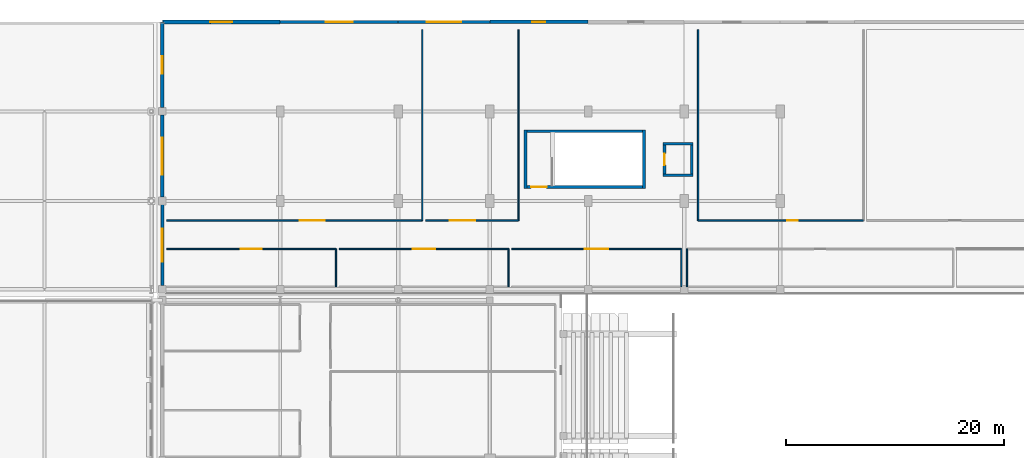
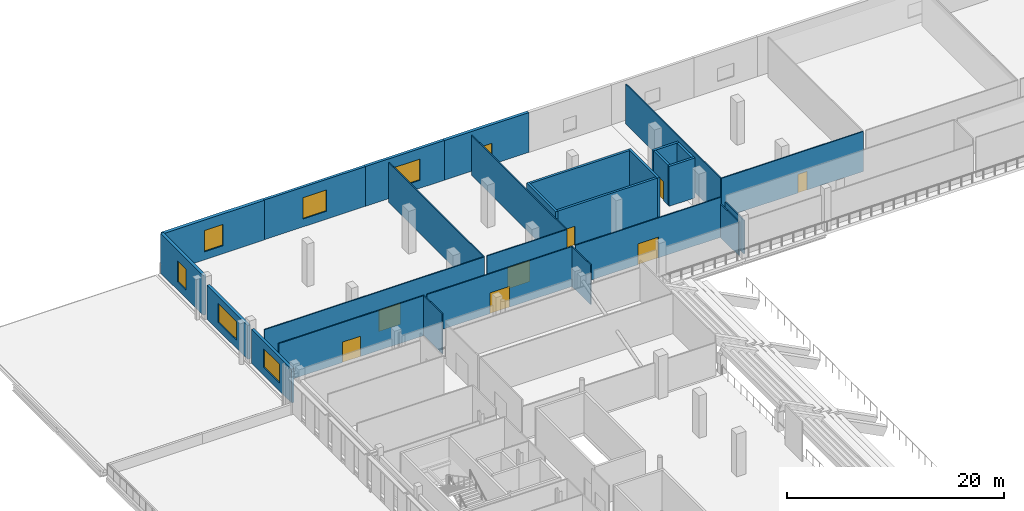
# One storey, part 41 of 74: 28 walls, 8 doors, 7 windows, 15 openings.
"""IFC4 building model written with IfcOpenShell, lengths in metres."""

from ifc_helpers import new_model, si_unit, direction, frame, frame_2d, origin, place, context, subcontext, project, spatial, rectangle, extrude, material, layer, layer_set, type_object, element, fill, save


model = new_model("IFC4")

# Units and contexts
model_context = context("Model", 3, precision=1e-05, world=origin(), true_north=direction((0.0, 1.0)))
body_context = subcontext(model_context, "Body", "Model", "MODEL_VIEW")
ifc_project = project(units=[si_unit("LENGTHUNIT", "METRE"), si_unit("AREAUNIT", "SQUARE_METRE"), si_unit("VOLUMEUNIT", "CUBIC_METRE"), si_unit("PLANEANGLEUNIT", "RADIAN"), si_unit("MASSUNIT", "GRAM", prefix="KILO")], contexts=[model_context])

# Site, building, storey
site_placement = place(None, origin())
site = spatial("IfcSite", under=ifc_project, at=site_placement, CompositionType="ELEMENT")
building_placement = place(site_placement, origin())
building = spatial("IfcBuilding", under=site, at=building_placement, Name="Koshinbarg Plaza Stadium", CompositionType="ELEMENT")
storey_placement = place(building_placement, frame((0.0, 0.0, 15.0)))
storey = spatial("IfcBuildingStorey", under=building, at=storey_placement, Name="L03", CompositionType="ELEMENT", Elevation=15.0)

# Walls
ifc_material_1 = material(Name="Concrete C40/50", Category="concrete")
ifc_layer_1 = layer(ifc_material_1, 0.25)
ifc_layer_set_1 = layer_set([ifc_layer_1], Name="Concrete C40/50")
wall_type_1 = type_object("IfcWallType", Name="WL-CORE-250", PredefinedType="SHEAR", material=ifc_layer_set_1)
for number, where, z_axis, x_axis, name in (
    (1, (57.875, 142.1201171875, 0.0), (0.0, 0.0, 1.0), (0.0, -1.0, 0.0), "L03 core stair shear wall C11-near IWL-L03-0270"),
    (2, (68.72509765625, 136.75, 0.0), (0.0, 0.0, 1.0), (0.0, 1.0, 0.0), "L03 core stair shear wall C11-far IWL-L03-0271"),
):
    element("IfcWall", number, at=place(storey_placement, frame(where, z_axis=z_axis, x_axis=x_axis)), inside=storey, type_object=wall_type_1, Name=name, PredefinedType="SHEAR", context=body_context, shape_type="SweptSolid", body=[
        extrude(rectangle(XDim=5.3701171875, YDim=0.25, at=frame_2d((2.68505859375, 0.0))), origin(), (0.0, 0.0, 1.0), 4.5),
    ])
wall_1_placement = place(storey_placement, frame((57.875, 141.9951171875, 0.0), z_axis=(0.0, 0.0, 1.0), x_axis=(1.0, 0.0, 0.0)))
element("IfcWall", 3, at=wall_1_placement, inside=storey, type_object=wall_type_1, Name="L03 core stair shear wall C11-left IWL-L03-0272", PredefinedType="SHEAR", context=body_context, shape_type="SweptSolid", body=[
    extrude(rectangle(XDim=10.85009765625, YDim=0.25, at=frame_2d((5.425048828125, 0.0))), origin(), (0.0, 0.0, 1.0), 4.5),
])

# Wall, opening, door
wall_2_placement = place(storey_placement, frame((57.875, 136.875, 0.0), z_axis=(0.0, 0.0, 1.0), x_axis=(1.0, 0.0, 0.0)))
wall_2 = element("IfcWall", 4, at=wall_2_placement, inside=storey, type_object=wall_type_1, Name="L03 core stair shear wall C11-right IWL-L03-0273", PredefinedType="SHEAR", context=body_context, shape_type="SweptSolid", body=[
    extrude(rectangle(XDim=10.85009765625, YDim=0.25, at=frame_2d((5.425048828125, 0.0))), origin(), (0.0, 0.0, 1.0), 4.5),
])
opening_1_placement = place(wall_2_placement, frame((0.52001953125, 0.0, 0.0)))
opening_1 = element("IfcOpeningElement", 5, at=opening_1_placement, cuts=wall_2, Name="Opening D-0130", PredefinedType="OPENING", context=body_context, shape_type="SweptSolid", body=[
    extrude(rectangle(XDim=1.39990234375, YDim=2.14990234375, at=frame_2d((0.699951171875, 1.074951171875))), frame((0.0, 0.135009765625, 0.0), z_axis=(0.0, -1.0, 0.0), x_axis=(1.0, 0.0, 0.0)), (0.0, 0.0, 1.0), 0.27001953125),
])
ifc_material_2 = material(Name="Painted galvanized steel fire door", Category="steel")
door_type_1 = type_object("IfcDoorType", Name="DR-STAIR-1400", OperationType="NOTDEFINED", PredefinedType="DOOR", material=ifc_material_2)
door_1_placement = place(opening_1_placement, origin())
door_1 = element("IfcDoor", 6, at=door_1_placement, inside=storey, type_object=door_type_1, Name="L03 exit stair door C11", OperationType="SINGLE_SWING_LEFT", OverallHeight=2.14990234375, OverallWidth=1.39990234375, PredefinedType="DOOR", context=body_context, shape_type="SweptSolid", body=[
    extrude(rectangle(XDim=1.39990234375, YDim=2.14990234375, at=frame_2d((0.699951171875, 1.074951171875))), frame((0.0, 0.02490234375, 0.0), z_axis=(0.0, -1.0, 0.0), x_axis=(1.0, 0.0, 0.0)), (0.0, 0.0, 1.0), 0.050048828125),
])
fill(opening_1, door_1)

# Walls
for number, where, z_axis, x_axis, name in (
    (7, (70.47509765625, 137.949951171875, 0.0), (0.0, 0.0, 1.0), (1.0, 0.0, 0.0), "L03 lift shaft shear wall LP07-S IWL-L03-0970"),
    (8, (73.22509765625, 140.85009765625, 0.0), (0.0, 0.0, 1.0), (-1.0, 0.0, 0.0), "L03 lift shaft shear wall LP07-N IWL-L03-0971"),
):
    element("IfcWall", number, at=place(storey_placement, frame(where, z_axis=z_axis, x_axis=x_axis)), inside=storey, type_object=wall_type_1, Name=name, PredefinedType="SHEAR", context=body_context, shape_type="SweptSolid", body=[
        extrude(rectangle(XDim=2.75, YDim=0.25, at=frame_2d((1.375, 0.0))), origin(), (0.0, 0.0, 1.0), 4.5),
    ])

# Wall, opening, door
wall_3_placement = place(storey_placement, frame((70.60009765625, 140.85009765625, 0.0), z_axis=(0.0, 0.0, 1.0), x_axis=(0.0, -1.0, 0.0)))
wall_3 = element("IfcWall", 9, at=wall_3_placement, inside=storey, type_object=wall_type_1, Name="L03 lift shaft shear wall LP07-W IWL-L03-0972", PredefinedType="SHEAR", context=body_context, shape_type="SweptSolid", body=[
    extrude(rectangle(XDim=2.900146484375, YDim=0.25, at=frame_2d((1.4501953125, 0.0))), origin(), (0.0, 0.0, 1.0), 4.5),
])
opening_2_placement = place(wall_3_placement, frame((0.925048828125, 0.0, 0.0)))
opening_2 = element("IfcOpeningElement", 10, at=opening_2_placement, cuts=wall_3, Name="Opening D-0312", PredefinedType="OPENING", context=body_context, shape_type="SweptSolid", body=[
    extrude(rectangle(XDim=1.050048828125, YDim=2.14990234375, at=frame_2d((0.52490234375, 1.074951171875))), frame((0.0, 0.135009765625, 0.0), z_axis=(0.0, -1.0, 0.0), x_axis=(1.0, 0.0, 0.0)), (0.0, 0.0, 1.0), 0.27001953125),
])
ifc_material_3 = material(Name="Brushed stainless steel sliding lift landing door", Category="steel")
door_type_2 = type_object("IfcDoorType", Name="DR-LIFT-1050", OperationType="NOTDEFINED", PredefinedType="DOOR", material=ifc_material_3)
door_2_placement = place(opening_2_placement, origin())
door_2 = element("IfcDoor", 11, at=door_2_placement, inside=storey, type_object=door_type_2, Name="L03 lift landing door LP07", OperationType="SLIDING_TO_RIGHT", OverallHeight=2.14990234375, OverallWidth=1.050048828125, PredefinedType="DOOR", context=body_context, shape_type="SweptSolid", body=[
    extrude(rectangle(XDim=1.050048828125, YDim=2.14990234375, at=frame_2d((0.52490234375, 1.074951171875))), frame((0.0, 0.02490234375, 0.0), z_axis=(0.0, -1.0, 0.0), x_axis=(1.0, 0.0, 0.0)), (0.0, 0.0, 1.0), 0.050048828125),
])
fill(opening_2, door_2)

# Wall
wall_4_placement = place(storey_placement, frame((73.10009765625, 137.949951171875, 0.0), z_axis=(0.0, 0.0, 1.0), x_axis=(0.0, 1.0, 0.0)))
element("IfcWall", 12, at=wall_4_placement, inside=storey, type_object=wall_type_1, Name="L03 lift shaft shear wall LP07-E IWL-L03-0973", PredefinedType="SHEAR", context=body_context, shape_type="SweptSolid", body=[
    extrude(rectangle(XDim=2.900146484375, YDim=0.25, at=frame_2d((1.4501953125, 0.0))), origin(), (0.0, 0.0, 1.0), 4.5),
])

# Wall, opening, window
ifc_material_4 = material(Name="Terracotta-ochre mineral plaster insulated wall", Category="masonry")
ifc_layer_2 = layer(ifc_material_4, 0.280029296875)
ifc_layer_set_2 = layer_set([ifc_layer_2], Name="Terracotta-ochre mineral plaster insulated wall")
wall_type_2 = type_object("IfcWallType", Name="WL-EXT-280", PredefinedType="SOLIDWALL", material=ifc_layer_set_2)
wall_5_placement = place(storey_placement, frame((24.60009765625, 127.844970703125, 0.0), z_axis=(0.0, 0.0, 1.0), x_axis=(0.0, 1.0, 0.0)))
wall_5 = element("IfcWall", 13, at=wall_5_placement, inside=storey, type_object=wall_type_2, Name="L03 exterior envelope wall EWL-L03-0156", PredefinedType="SOLIDWALL", context=body_context, shape_type="SweptSolid", body=[
    extrude(rectangle(XDim=7.409912109375, YDim=0.280029296875, at=frame_2d((3.705078125, 0.0))), origin(), (0.0, 0.0, 1.0), 3.820068359375),
])
opening_3_placement = place(wall_5_placement, frame((2.205078125, 0.0, 0.89990234375)))
opening_3 = element("IfcOpeningElement", 14, at=opening_3_placement, cuts=wall_5, Name="Opening WN17", PredefinedType="OPENING", context=body_context, shape_type="SweptSolid", body=[
    extrude(rectangle(XDim=3.0, YDim=2.10009765625, at=frame_2d((1.5, 1.050048828125))), frame((0.0, 0.14990234375, 0.0), z_axis=(0.0, -1.0, 0.0), x_axis=(1.0, 0.0, 0.0)), (0.0, 0.0, 1.0), 0.300048828125),
])
ifc_material_5 = material(Name="Solar-control double glazing in thermally broken aluminium frame", Category="aluminium")
window_type_1 = type_object("IfcWindowType", Name="WN-FAC-17", PartitioningType="DOUBLE_PANEL_VERTICAL", PredefinedType="WINDOW", material=ifc_material_5)
window_1_placement = place(opening_3_placement, origin())
window_1 = element("IfcWindow", 15, at=window_1_placement, inside=storey, type_object=window_type_1, Name="L03 facade window 0089", OverallHeight=2.10009765625, OverallWidth=3.0, PartitioningType="SINGLE_PANEL", PredefinedType="WINDOW", context=body_context, shape_type="SweptSolid", body=[
    extrude(rectangle(XDim=3.0, YDim=2.10009765625, at=frame_2d((1.5, 1.050048828125))), frame((0.0, 0.030029296875, 0.0), z_axis=(0.0, -1.0, 0.0), x_axis=(1.0, 0.0, 0.0)), (0.0, 0.0, 1.0), 0.06005859375),
])
fill(opening_3, window_1)

wall_6_placement = place(storey_placement, frame((35.39990234375, 152.0, 0.0), z_axis=(0.0, 0.0, 1.0), x_axis=(1.0, 0.0, 0.0)))
wall_6 = element("IfcWall", 16, at=wall_6_placement, inside=storey, type_object=wall_type_2, Name="L03 exterior envelope wall EWL-L03-0160", PredefinedType="SOLIDWALL", context=body_context, shape_type="SweptSolid", body=[
    extrude(rectangle(XDim=10.800048828125, YDim=0.280029296875, at=frame_2d((5.39990234375, 0.0))), origin(), (0.0, 0.0, 1.0), 4.47998046875),
])
opening_4_placement = place(wall_6_placement, frame((4.14990234375, 0.0, 0.89990234375)))
opening_4 = element("IfcOpeningElement", 17, at=opening_4_placement, cuts=wall_6, Name="Opening WN21", PredefinedType="OPENING", context=body_context, shape_type="SweptSolid", body=[
    extrude(rectangle(XDim=2.5, YDim=2.39990234375, at=frame_2d((1.25, 1.199951171875))), frame((0.0, 0.14990234375, 0.0), z_axis=(0.0, -1.0, 0.0), x_axis=(1.0, 0.0, 0.0)), (0.0, 0.0, 1.0), 0.300048828125),
])
window_type_2 = type_object("IfcWindowType", Name="WN-FAC-21", PartitioningType="DOUBLE_PANEL_VERTICAL", PredefinedType="WINDOW", material=ifc_material_5)
window_2_placement = place(opening_4_placement, origin())
window_2 = element("IfcWindow", 18, at=window_2_placement, inside=storey, type_object=window_type_2, Name="L03 facade window 0093", OverallHeight=2.39990234375, OverallWidth=2.5, PartitioningType="SINGLE_PANEL", PredefinedType="WINDOW", context=body_context, shape_type="SweptSolid", body=[
    extrude(rectangle(XDim=2.5, YDim=2.39990234375, at=frame_2d((1.25, 1.199951171875))), frame((0.0, 0.030029296875, 0.0), z_axis=(0.0, -1.0, 0.0), x_axis=(1.0, 0.0, 0.0)), (0.0, 0.0, 1.0), 0.06005859375),
])
fill(opening_4, window_2)

ifc_material_6 = material(Name="Off-white mineral plaster insulated wall", Category="masonry")
ifc_layer_3 = layer(ifc_material_6, 0.300048828125)
ifc_layer_set_3 = layer_set([ifc_layer_3], Name="Off-white mineral plaster insulated wall")
wall_type_3 = type_object("IfcWallType", Name="WL-EXT-300", PredefinedType="SOLIDWALL", material=ifc_layer_set_3)
wall_7_placement = place(storey_placement, frame((24.60009765625, 135.945068359375, 0.0), z_axis=(0.0, 0.0, 1.0), x_axis=(0.0, 1.0, 0.0)))
wall_7 = element("IfcWall", 19, at=wall_7_placement, inside=storey, type_object=wall_type_3, Name="L03 exterior envelope wall EWL-L03-0157", PredefinedType="SOLIDWALL", context=body_context, shape_type="SweptSolid", body=[
    extrude(rectangle(XDim=7.510009765625, YDim=0.300048828125, at=frame_2d((3.7548828125, 0.0))), origin(), (0.0, 0.0, 1.0), 3.820068359375),
])
opening_5_placement = place(wall_7_placement, frame((2.054931640625, 0.0, 0.89990234375)))
opening_5 = element("IfcOpeningElement", 20, at=opening_5_placement, cuts=wall_7, Name="Opening WN18", PredefinedType="OPENING", context=body_context, shape_type="SweptSolid", body=[
    extrude(rectangle(XDim=3.39990234375, YDim=2.10009765625, at=frame_2d((1.699951171875, 1.050048828125))), frame((0.0, 0.159912109375, 0.0), z_axis=(0.0, -1.0, 0.0), x_axis=(1.0, 0.0, 0.0)), (0.0, 0.0, 1.0), 0.320068359375),
])
window_type_3 = type_object("IfcWindowType", Name="WN-FAC-18", PartitioningType="DOUBLE_PANEL_VERTICAL", PredefinedType="WINDOW", material=ifc_material_5)
window_3_placement = place(opening_5_placement, origin())
window_3 = element("IfcWindow", 21, at=window_3_placement, inside=storey, type_object=window_type_3, Name="L03 facade window 0090", OverallHeight=2.10009765625, OverallWidth=3.39990234375, PartitioningType="SINGLE_PANEL", PredefinedType="WINDOW", context=body_context, shape_type="SweptSolid", body=[
    extrude(rectangle(XDim=3.39990234375, YDim=2.10009765625, at=frame_2d((1.699951171875, 1.050048828125))), frame((0.0, 0.030029296875, 0.0), z_axis=(0.0, -1.0, 0.0), x_axis=(1.0, 0.0, 0.0)), (0.0, 0.0, 1.0), 0.06005859375),
])
fill(opening_5, window_3)

wall_8_placement = place(storey_placement, frame((46.199951171875, 152.0, 0.0), z_axis=(0.0, 0.0, 1.0), x_axis=(1.0, 0.0, 0.0)))
wall_8 = element("IfcWall", 22, at=wall_8_placement, inside=storey, type_object=wall_type_3, Name="L03 exterior envelope wall EWL-L03-0161", PredefinedType="SOLIDWALL", context=body_context, shape_type="SweptSolid", body=[
    extrude(rectangle(XDim=8.400146484375, YDim=0.300048828125, at=frame_2d((4.2001953125, 0.0))), origin(), (0.0, 0.0, 1.0), 4.47998046875),
])
opening_6_placement = place(wall_8_placement, frame((2.60009765625, 0.0, 0.89990234375)))
opening_6 = element("IfcOpeningElement", 23, at=opening_6_placement, cuts=wall_8, Name="Opening WN22", PredefinedType="OPENING", context=body_context, shape_type="SweptSolid", body=[
    extrude(rectangle(XDim=3.199951171875, YDim=2.39990234375, at=frame_2d((1.60009765625, 1.199951171875))), frame((0.0, 0.159912109375, 0.0), z_axis=(0.0, -1.0, 0.0), x_axis=(1.0, 0.0, 0.0)), (0.0, 0.0, 1.0), 0.320068359375),
])
window_type_4 = type_object("IfcWindowType", Name="WN-FAC-22", PartitioningType="DOUBLE_PANEL_VERTICAL", PredefinedType="WINDOW", material=ifc_material_5)
window_4_placement = place(opening_6_placement, origin())
window_4 = element("IfcWindow", 24, at=window_4_placement, inside=storey, type_object=window_type_4, Name="L03 facade window 0094", OverallHeight=2.39990234375, OverallWidth=3.199951171875, PartitioningType="SINGLE_PANEL", PredefinedType="WINDOW", context=body_context, shape_type="SweptSolid", body=[
    extrude(rectangle(XDim=3.199951171875, YDim=2.39990234375, at=frame_2d((1.60009765625, 1.199951171875))), frame((0.0, 0.030029296875, 0.0), z_axis=(0.0, -1.0, 0.0), x_axis=(1.0, 0.0, 0.0)), (0.0, 0.0, 1.0), 0.06005859375),
])
fill(opening_6, window_4)

ifc_material_7 = material(Name="Ultramarine-blue pigmented mineral plaster facade wall", Category="masonry")
ifc_layer_4 = layer(ifc_material_7, 0.320068359375)
ifc_layer_set_4 = layer_set([ifc_layer_4], Name="Ultramarine-blue pigmented mineral plaster facade wall")
wall_type_4 = type_object("IfcWallType", Name="WL-EXT-320", PredefinedType="SOLIDWALL", material=ifc_layer_set_4)
wall_9_placement = place(storey_placement, frame((24.60009765625, 144.14501953125, 0.0), z_axis=(0.0, 0.0, 1.0), x_axis=(0.0, 1.0, 0.0)))
wall_9 = element("IfcWall", 25, at=wall_9_placement, inside=storey, type_object=wall_type_4, Name="L03 exterior envelope wall EWL-L03-0158", PredefinedType="SOLIDWALL", context=body_context, shape_type="SweptSolid", body=[
    extrude(rectangle(XDim=7.85498046875, YDim=0.320068359375, at=frame_2d((3.927490234375, 0.0))), origin(), (0.0, 0.0, 1.0), 4.47998046875),
])
opening_7_placement = place(wall_9_placement, frame((3.12744140625, 0.0, 0.89990234375)))
opening_7 = element("IfcOpeningElement", 26, at=opening_7_placement, cuts=wall_9, Name="Opening WN19", PredefinedType="OPENING", context=body_context, shape_type="SweptSolid", body=[
    extrude(rectangle(XDim=1.60009765625, YDim=2.39990234375, at=frame_2d((0.800048828125, 1.199951171875))), frame((0.0, 0.169921875, 0.0), z_axis=(0.0, -1.0, 0.0), x_axis=(1.0, 0.0, 0.0)), (0.0, 0.0, 1.0), 0.340087890625),
])
window_type_5 = type_object("IfcWindowType", Name="WN-FAC-19", PartitioningType="DOUBLE_PANEL_VERTICAL", PredefinedType="WINDOW", material=ifc_material_5)
window_5_placement = place(opening_7_placement, origin())
window_5 = element("IfcWindow", 27, at=window_5_placement, inside=storey, type_object=window_type_5, Name="L03 facade window 0091", OverallHeight=2.39990234375, OverallWidth=1.60009765625, PartitioningType="SINGLE_PANEL", PredefinedType="WINDOW", context=body_context, shape_type="SweptSolid", body=[
    extrude(rectangle(XDim=1.60009765625, YDim=2.39990234375, at=frame_2d((0.800048828125, 1.199951171875))), frame((0.0, 0.030029296875, 0.0), z_axis=(0.0, -1.0, 0.0), x_axis=(1.0, 0.0, 0.0)), (0.0, 0.0, 1.0), 0.06005859375),
])
fill(opening_7, window_5)

wall_10_placement = place(storey_placement, frame((54.60009765625, 152.0, 0.0), z_axis=(0.0, 0.0, 1.0), x_axis=(1.0, 0.0, 0.0)))
wall_10 = element("IfcWall", 28, at=wall_10_placement, inside=storey, type_object=wall_type_4, Name="L03 exterior envelope wall EWL-L03-0162", PredefinedType="SOLIDWALL", context=body_context, shape_type="SweptSolid", body=[
    extrude(rectangle(XDim=9.0, YDim=0.320068359375, at=frame_2d((4.5, 0.0))), origin(), (0.0, 0.0, 1.0), 4.47998046875),
])
opening_8_placement = place(wall_10_placement, frame((3.89990234375, 0.0, 0.89990234375)))
opening_8 = element("IfcOpeningElement", 29, at=opening_8_placement, cuts=wall_10, Name="Opening WN01", PredefinedType="OPENING", context=body_context, shape_type="SweptSolid", body=[
    extrude(rectangle(XDim=1.199951171875, YDim=1.5, at=frame_2d((0.60009765625, 0.75))), frame((0.0, 0.169921875, 0.0), z_axis=(0.0, -1.0, 0.0), x_axis=(1.0, 0.0, 0.0)), (0.0, 0.0, 1.0), 0.340087890625),
])
window_type_6 = type_object("IfcWindowType", Name="WN-FAC-01", PartitioningType="DOUBLE_PANEL_VERTICAL", PredefinedType="WINDOW", material=ifc_material_5)
window_6_placement = place(opening_8_placement, origin())
window_6 = element("IfcWindow", 30, at=window_6_placement, inside=storey, type_object=window_type_6, Name="L03 facade window 0095", OverallHeight=1.5, OverallWidth=1.199951171875, PartitioningType="SINGLE_PANEL", PredefinedType="WINDOW", context=body_context, shape_type="SweptSolid", body=[
    extrude(rectangle(XDim=1.199951171875, YDim=1.5, at=frame_2d((0.60009765625, 0.75))), frame((0.0, 0.030029296875, 0.0), z_axis=(0.0, -1.0, 0.0), x_axis=(1.0, 0.0, 0.0)), (0.0, 0.0, 1.0), 0.06005859375),
])
fill(opening_8, window_6)

ifc_material_8 = material(Name="Acoustic insulated masonry stadium wall", Category="masonry")
ifc_layer_5 = layer(ifc_material_8, 0.35009765625)
ifc_layer_set_5 = layer_set([ifc_layer_5], Name="Acoustic insulated masonry stadium wall")
wall_type_5 = type_object("IfcWallType", Name="WL-EXT-350", PredefinedType="SOLIDWALL", material=ifc_layer_set_5)
wall_11_placement = place(storey_placement, frame((24.60009765625, 152.0, 0.0), z_axis=(0.0, 0.0, 1.0), x_axis=(1.0, 0.0, 0.0)))
wall_11 = element("IfcWall", 31, at=wall_11_placement, inside=storey, type_object=wall_type_5, Name="L03 exterior envelope wall EWL-L03-0159", PredefinedType="SOLIDWALL", context=body_context, shape_type="SweptSolid", body=[
    extrude(rectangle(XDim=10.7998046875, YDim=0.35009765625, at=frame_2d((5.39990234375, 0.0))), origin(), (0.0, 0.0, 1.0), 4.47998046875),
])
opening_9_placement = place(wall_11_placement, frame((4.39990234375, 0.0, 0.89990234375)))
opening_9 = element("IfcOpeningElement", 32, at=opening_9_placement, cuts=wall_11, Name="Opening WN20", PredefinedType="OPENING", context=body_context, shape_type="SweptSolid", body=[
    extrude(rectangle(XDim=2.0, YDim=2.39990234375, at=frame_2d((1.0, 1.199951171875))), frame((0.0, 0.18505859375, 0.0), z_axis=(0.0, -1.0, 0.0), x_axis=(1.0, 0.0, 0.0)), (0.0, 0.0, 1.0), 0.3701171875),
])
window_type_7 = type_object("IfcWindowType", Name="WN-FAC-20", PartitioningType="DOUBLE_PANEL_VERTICAL", PredefinedType="WINDOW", material=ifc_material_5)
window_7_placement = place(opening_9_placement, origin())
window_7 = element("IfcWindow", 33, at=window_7_placement, inside=storey, type_object=window_type_7, Name="L03 facade window 0092", OverallHeight=2.39990234375, OverallWidth=2.0, PartitioningType="SINGLE_PANEL", PredefinedType="WINDOW", context=body_context, shape_type="SweptSolid", body=[
    extrude(rectangle(XDim=2.0, YDim=2.39990234375, at=frame_2d((1.0, 1.199951171875))), frame((0.0, 0.030029296875, 0.0), z_axis=(0.0, -1.0, 0.0), x_axis=(1.0, 0.0, 0.0)), (0.0, 0.0, 1.0), 0.06005859375),
])
fill(opening_9, window_7)

# Wall
ifc_material_9 = material(Name="Gypsum board metal-stud acoustic partition")
ifc_layer_6 = layer(ifc_material_9, 0.1201171875)
ifc_layer_set_6 = layer_set([ifc_layer_6], Name="Gypsum board metal-stud acoustic partition")
wall_type_6 = type_object("IfcWallType", Name="WL-PART-120", PredefinedType="PARTITIONING", material=ifc_layer_set_6)
wall_12_placement = place(storey_placement, frame((40.506591796875, 127.7451171875, 0.0), z_axis=(0.0, 0.0, 1.0), x_axis=(0.0, 1.0, 0.0)))
element("IfcWall", 34, at=wall_12_placement, inside=storey, type_object=wall_type_6, Name="L03 interior partition L03-96-east IWL-L03-2001", PredefinedType="PARTITIONING", context=body_context, shape_type="SweptSolid", body=[
    extrude(rectangle(XDim=3.454833984375, YDim=0.1201171875, at=frame_2d((1.7275390625, 0.0))), origin(), (0.0, 0.0, 1.0), 4.5),
])

# Wall, opening, door
wall_13_placement = place(storey_placement, frame((40.506591796875, 131.199951171875, 0.0), z_axis=(0.0, 0.0, 1.0), x_axis=(-1.0, 0.0, 0.0)))
wall_13 = element("IfcWall", 35, at=wall_13_placement, inside=storey, type_object=wall_type_6, Name="L03 interior partition L03-96-north IWL-L03-2002", PredefinedType="PARTITIONING", context=body_context, shape_type="SweptSolid", body=[
    extrude(rectangle(XDim=15.511474609375, YDim=0.1201171875, at=frame_2d((7.755859375, 0.0))), origin(), (0.0, 0.0, 1.0), 4.5),
])
opening_10_placement = place(wall_13_placement, frame((6.77587890625, 0.0, 0.0)))
opening_10 = element("IfcOpeningElement", 36, at=opening_10_placement, cuts=wall_13, Name="Opening D-0686", PredefinedType="OPENING", context=body_context, shape_type="SweptSolid", body=[
    extrude(rectangle(XDim=1.9599609375, YDim=2.300048828125, at=frame_2d((0.97998046875, 1.14990234375))), frame((0.0, 0.070068359375, 0.0), z_axis=(0.0, -1.0, 0.0), x_axis=(1.0, 0.0, 0.0)), (0.0, 0.0, 1.0), 0.14013671875),
])
ifc_material_10 = material(Name="Bronze-anodised aluminium glazed double door", Category="aluminium")
door_type_3 = type_object("IfcDoorType", Name="DR-INT-1960x2300", OperationType="NOTDEFINED", PredefinedType="DOOR", material=ifc_material_10)
door_3_placement = place(opening_10_placement, origin())
door_3 = element("IfcDoor", 37, at=door_3_placement, inside=storey, type_object=door_type_3, Name="L03 North Garden Pavilion Salon door D-0686", OperationType="DOUBLE_DOOR_SINGLE_SWING", OverallHeight=2.300048828125, OverallWidth=1.9599609375, PredefinedType="DOOR", context=body_context, shape_type="SweptSolid", body=[
    extrude(rectangle(XDim=1.9599609375, YDim=2.300048828125, at=frame_2d((0.97998046875, 1.14990234375))), frame((0.0, 0.02490234375, 0.0), z_axis=(0.0, -1.0, 0.0), x_axis=(1.0, 0.0, 0.0)), (0.0, 0.0, 1.0), 0.050048828125),
])
fill(opening_10, door_3)

# Wall
wall_14_placement = place(storey_placement, frame((56.318359375, 127.7451171875, 0.0), z_axis=(0.0, 0.0, 1.0), x_axis=(0.0, 1.0, 0.0)))
element("IfcWall", 38, at=wall_14_placement, inside=storey, type_object=wall_type_6, Name="L03 interior partition L03-97-east IWL-L03-2004", PredefinedType="PARTITIONING", context=body_context, shape_type="SweptSolid", body=[
    extrude(rectangle(XDim=3.454833984375, YDim=0.1201171875, at=frame_2d((1.7275390625, 0.0))), origin(), (0.0, 0.0, 1.0), 4.5),
])

# Wall, opening, door
wall_15_placement = place(storey_placement, frame((56.318359375, 131.199951171875, 0.0), z_axis=(0.0, 0.0, 1.0), x_axis=(-1.0, 0.0, 0.0)))
wall_15 = element("IfcWall", 39, at=wall_15_placement, inside=storey, type_object=wall_type_6, Name="L03 interior partition L03-97-north IWL-L03-2005", PredefinedType="PARTITIONING", context=body_context, shape_type="SweptSolid", body=[
    extrude(rectangle(XDim=15.51171875, YDim=0.1201171875, at=frame_2d((7.755859375, 0.0))), origin(), (0.0, 0.0, 1.0), 4.5),
])
opening_11_placement = place(wall_15_placement, frame((6.7158203125, 0.0, 0.0)))
opening_11 = element("IfcOpeningElement", 40, at=opening_11_placement, cuts=wall_15, Name="Opening D-0687", PredefinedType="OPENING", context=body_context, shape_type="SweptSolid", body=[
    extrude(rectangle(XDim=2.080078125, YDim=2.35009765625, at=frame_2d((1.0400390625, 1.175048828125))), frame((0.0, 0.070068359375, 0.0), z_axis=(0.0, -1.0, 0.0), x_axis=(1.0, 0.0, 0.0)), (0.0, 0.0, 1.0), 0.14013671875),
])
ifc_material_11 = material(Name="Laminated safety glass aluminium vestibule door", Category="aluminium")
door_type_4 = type_object("IfcDoorType", Name="DR-INT-2080x2350", OperationType="NOTDEFINED", PredefinedType="DOOR", material=ifc_material_11)
door_4_placement = place(opening_11_placement, origin())
door_4 = element("IfcDoor", 41, at=door_4_placement, inside=storey, type_object=door_type_4, Name="L03 North Upper Concourse door D-0687", OperationType="DOUBLE_DOOR_SINGLE_SWING", OverallHeight=2.35009765625, OverallWidth=2.080078125, PredefinedType="DOOR", context=body_context, shape_type="SweptSolid", body=[
    extrude(rectangle(XDim=2.080078125, YDim=2.35009765625, at=frame_2d((1.0400390625, 1.175048828125))), frame((0.0, 0.02490234375, 0.0), z_axis=(0.0, -1.0, 0.0), x_axis=(1.0, 0.0, 0.0)), (0.0, 0.0, 1.0), 0.050048828125),
])
fill(opening_11, door_4)

# Wall
wall_16_placement = place(storey_placement, frame((72.1298828125, 127.7451171875, 0.0), z_axis=(0.0, 0.0, 1.0), x_axis=(0.0, 1.0, 0.0)))
element("IfcWall", 42, at=wall_16_placement, inside=storey, type_object=wall_type_6, Name="L03 interior partition L03-98-east IWL-L03-2007", PredefinedType="PARTITIONING", context=body_context, shape_type="SweptSolid", body=[
    extrude(rectangle(XDim=3.454833984375, YDim=0.1201171875, at=frame_2d((1.7275390625, 0.0))), origin(), (0.0, 0.0, 1.0), 3.780029296875),
])

# Wall, opening, door
wall_17_placement = place(storey_placement, frame((72.1298828125, 131.199951171875, 0.0), z_axis=(0.0, 0.0, 1.0), x_axis=(-1.0, 0.0, 0.0)))
wall_17 = element("IfcWall", 43, at=wall_17_placement, inside=storey, type_object=wall_type_6, Name="L03 interior partition L03-98-north IWL-L03-2008", PredefinedType="PARTITIONING", context=body_context, shape_type="SweptSolid", body=[
    extrude(rectangle(XDim=15.511474609375, YDim=0.1201171875, at=frame_2d((7.755859375, 0.0))), origin(), (0.0, 0.0, 1.0), 4.5),
])
opening_12_placement = place(wall_17_placement, frame((6.67578125, 0.0, 0.0)))
opening_12 = element("IfcOpeningElement", 44, at=opening_12_placement, cuts=wall_17, Name="Opening D-0688", PredefinedType="OPENING", context=body_context, shape_type="SweptSolid", body=[
    extrude(rectangle(XDim=2.159912109375, YDim=2.35009765625, at=frame_2d((1.080078125, 1.175048828125))), frame((0.0, 0.070068359375, 0.0), z_axis=(0.0, -1.0, 0.0), x_axis=(1.0, 0.0, 0.0)), (0.0, 0.0, 1.0), 0.14013671875),
])
ifc_material_12 = material(Name="Galvanized painted steel double leaf door", Category="steel")
door_type_5 = type_object("IfcDoorType", Name="DR-INT-2160x2350", OperationType="NOTDEFINED", PredefinedType="DOOR", material=ifc_material_12)
door_5_placement = place(opening_12_placement, origin())
door_5 = element("IfcDoor", 45, at=door_5_placement, inside=storey, type_object=door_type_5, Name="L03 Trophy Exhibition Hall door D-0688", OperationType="DOUBLE_DOOR_SINGLE_SWING", OverallHeight=2.35009765625, OverallWidth=2.159912109375, PredefinedType="DOOR", context=body_context, shape_type="SweptSolid", body=[
    extrude(rectangle(XDim=2.159912109375, YDim=2.35009765625, at=frame_2d((1.080078125, 1.175048828125))), frame((0.0, 0.02490234375, 0.0), z_axis=(0.0, -1.0, 0.0), x_axis=(1.0, 0.0, 0.0)), (0.0, 0.0, 1.0), 0.050048828125),
])
fill(opening_12, door_5)

wall_18_placement = place(storey_placement, frame((24.9951171875, 133.800048828125, 0.0), z_axis=(0.0, 0.0, 1.0), x_axis=(1.0, 0.0, 0.0)))
wall_18 = element("IfcWall", 46, at=wall_18_placement, inside=storey, type_object=wall_type_6, Name="L03 interior partition L03-99-south IWL-L03-2009", PredefinedType="PARTITIONING", context=body_context, shape_type="SweptSolid", body=[
    extrude(rectangle(XDim=23.41748046875, YDim=0.1201171875, at=frame_2d((11.708740234375, 0.0))), origin(), (0.0, 0.0, 1.0), 4.5),
])
opening_13_placement = place(wall_18_placement, frame((12.20361328125, 0.0, 0.0)))
opening_13 = element("IfcOpeningElement", 47, at=opening_13_placement, cuts=wall_18, Name="Opening D-0689", PredefinedType="OPENING", context=body_context, shape_type="SweptSolid", body=[
    extrude(rectangle(XDim=2.280029296875, YDim=2.39990234375, at=frame_2d((1.14013671875, 1.199951171875))), frame((0.0, 0.070068359375, 0.0), z_axis=(0.0, -1.0, 0.0), x_axis=(1.0, 0.0, 0.0)), (0.0, 0.0, 1.0), 0.14013671875),
])
ifc_material_13 = material(Name="Anodised aluminium and laminated glass portal door", Category="aluminium")
door_type_6 = type_object("IfcDoorType", Name="DR-INT-2280x2400", OperationType="NOTDEFINED", PredefinedType="DOOR", material=ifc_material_13)
door_6_placement = place(opening_13_placement, origin())
door_6 = element("IfcDoor", 48, at=door_6_placement, inside=storey, type_object=door_type_6, Name="L03 North Upper Concourse door D-0689", OperationType="DOUBLE_DOOR_SINGLE_SWING", OverallHeight=2.39990234375, OverallWidth=2.280029296875, PredefinedType="DOOR", context=body_context, shape_type="SweptSolid", body=[
    extrude(rectangle(XDim=2.280029296875, YDim=2.39990234375, at=frame_2d((1.14013671875, 1.199951171875))), frame((0.0, 0.02490234375, 0.0), z_axis=(0.0, -1.0, 0.0), x_axis=(1.0, 0.0, 0.0)), (0.0, 0.0, 1.0), 0.050048828125),
])
fill(opening_13, door_6)

# Wall
wall_19_placement = place(storey_placement, frame((48.41259765625, 133.800048828125, 0.0), z_axis=(0.0, 0.0, 1.0), x_axis=(0.0, 1.0, 0.0)))
element("IfcWall", 49, at=wall_19_placement, inside=storey, type_object=wall_type_6, Name="L03 interior partition L03-99-east IWL-L03-2010", PredefinedType="PARTITIONING", context=body_context, shape_type="SweptSolid", body=[
    extrude(rectangle(XDim=17.5, YDim=0.1201171875, at=frame_2d((8.75, 0.0))), origin(), (0.0, 0.0, 1.0), 4.5),
])

# Wall, opening, door
wall_20_placement = place(storey_placement, frame((48.71240234375, 133.800048828125, 0.0), z_axis=(0.0, 0.0, 1.0), x_axis=(1.0, 0.0, 0.0)))
wall_20 = element("IfcWall", 50, at=wall_20_placement, inside=storey, type_object=wall_type_6, Name="L03 interior partition L03-100-south IWL-L03-2011", PredefinedType="PARTITIONING", context=body_context, shape_type="SweptSolid", body=[
    extrude(rectangle(XDim=8.507568359375, YDim=0.1201171875, at=frame_2d((4.25390625, 0.0))), origin(), (0.0, 0.0, 1.0), 4.5),
])
opening_14_placement = place(wall_20_placement, frame((2.2021484375, 0.0, 0.0)))
opening_14 = element("IfcOpeningElement", 51, at=opening_14_placement, cuts=wall_20, Name="Opening D-0690", PredefinedType="OPENING", context=body_context, shape_type="SweptSolid", body=[
    extrude(rectangle(XDim=2.360107421875, YDim=2.39990234375, at=frame_2d((1.18017578125, 1.199951171875))), frame((0.0, 0.070068359375, 0.0), z_axis=(0.0, -1.0, 0.0), x_axis=(1.0, 0.0, 0.0)), (0.0, 0.0, 1.0), 0.14013671875),
])
ifc_material_14 = material(Name="Powder-coated steel and tempered glass double door", Category="steel")
door_type_7 = type_object("IfcDoorType", Name="DR-INT-2360x2400", OperationType="NOTDEFINED", PredefinedType="DOOR", material=ifc_material_14)
door_7_placement = place(opening_14_placement, origin())
door_7 = element("IfcDoor", 52, at=door_7_placement, inside=storey, type_object=door_type_7, Name="L03 Trophy Exhibition Hall door D-0690", OperationType="DOUBLE_DOOR_SINGLE_SWING", OverallHeight=2.39990234375, OverallWidth=2.360107421875, PredefinedType="DOOR", context=body_context, shape_type="SweptSolid", body=[
    extrude(rectangle(XDim=2.360107421875, YDim=2.39990234375, at=frame_2d((1.18017578125, 1.199951171875))), frame((0.0, 0.02490234375, 0.0), z_axis=(0.0, -1.0, 0.0), x_axis=(1.0, 0.0, 0.0)), (0.0, 0.0, 1.0), 0.050048828125),
])
fill(opening_14, door_7)

# Walls
wall_21_placement = place(storey_placement, frame((57.219970703125, 133.800048828125, 0.0), z_axis=(0.0, 0.0, 1.0), x_axis=(0.0, 1.0, 0.0)))
element("IfcWall", 53, at=wall_21_placement, inside=storey, type_object=wall_type_6, Name="L03 interior partition L03-100-east IWL-L03-2012", PredefinedType="PARTITIONING", context=body_context, shape_type="SweptSolid", body=[
    extrude(rectangle(XDim=17.5, YDim=0.1201171875, at=frame_2d((8.75, 0.0))), origin(), (0.0, 0.0, 1.0), 4.5),
])
wall_22_placement = place(storey_placement, frame((72.669921875, 131.199951171875, 0.0), z_axis=(0.0, 0.0, 1.0), x_axis=(0.0, -1.0, 0.0)))
element("IfcWall", 54, at=wall_22_placement, inside=storey, type_object=wall_type_6, Name="L03 interior partition L03-101-west IWL-L03-2016", PredefinedType="PARTITIONING", context=body_context, shape_type="SweptSolid", body=[
    extrude(rectangle(XDim=3.454833984375, YDim=0.1201171875, at=frame_2d((1.7275390625, 0.0))), origin(), (0.0, 0.0, 1.0), 3.780029296875),
])

# Wall, opening, door
wall_23_placement = place(storey_placement, frame((73.679931640625, 133.800048828125, 0.0), z_axis=(0.0, 0.0, 1.0), x_axis=(1.0, 0.0, 0.0)))
wall_23 = element("IfcWall", 55, at=wall_23_placement, inside=storey, type_object=wall_type_6, Name="L03 interior partition L03-103-south IWL-L03-2020", PredefinedType="PARTITIONING", context=body_context, shape_type="SweptSolid", body=[
    extrude(rectangle(XDim=15.143310546875, YDim=0.1201171875, at=frame_2d((7.57177734375, 0.0))), origin(), (0.0, 0.0, 1.0), 4.5),
])
opening_15_placement = place(wall_23_placement, frame((8.147216796875, 0.0, 0.0)))
opening_15 = element("IfcOpeningElement", 56, at=opening_15_placement, cuts=wall_23, Name="Opening D-0693", PredefinedType="OPENING", context=body_context, shape_type="SweptSolid", body=[
    extrude(rectangle(XDim=1.0, YDim=2.10009765625, at=frame_2d((0.5, 1.050048828125))), frame((0.0, 0.070068359375, 0.0), z_axis=(0.0, -1.0, 0.0), x_axis=(1.0, 0.0, 0.0)), (0.0, 0.0, 1.0), 0.14013671875),
])
ifc_material_15 = material(Name="Solid-core laminate accessible WC door")
door_type_8 = type_object("IfcDoorType", Name="DR-INT-1000x2100", OperationType="NOTDEFINED", PredefinedType="DOOR", material=ifc_material_15)
door_8_placement = place(opening_15_placement, origin())
door_8 = element("IfcDoor", 57, at=door_8_placement, inside=storey, type_object=door_type_8, Name="L03 Trophy Exhibition Hall door D-0693", OperationType="SINGLE_SWING_LEFT", OverallHeight=2.10009765625, OverallWidth=1.0, PredefinedType="DOOR", context=body_context, shape_type="SweptSolid", body=[
    extrude(rectangle(XDim=1.0, YDim=2.10009765625, at=frame_2d((0.5, 1.050048828125))), frame((0.0, 0.02490234375, 0.0), z_axis=(0.0, -1.0, 0.0), x_axis=(1.0, 0.0, 0.0)), (0.0, 0.0, 1.0), 0.050048828125),
])
fill(opening_15, door_8)

# Wall
wall_24_placement = place(storey_placement, frame((73.679931640625, 151.300048828125, 0.0), z_axis=(0.0, 0.0, 1.0), x_axis=(0.0, -1.0, 0.0)))
element("IfcWall", 58, at=wall_24_placement, inside=storey, type_object=wall_type_6, Name="L03 interior partition L03-103-west IWL-L03-2022", PredefinedType="PARTITIONING", context=body_context, shape_type="SweptSolid", body=[
    extrude(rectangle(XDim=17.5, YDim=0.1201171875, at=frame_2d((8.75, 0.0))), origin(), (0.0, 0.0, 1.0), 4.5),
])

save(model, "model.ifc")
